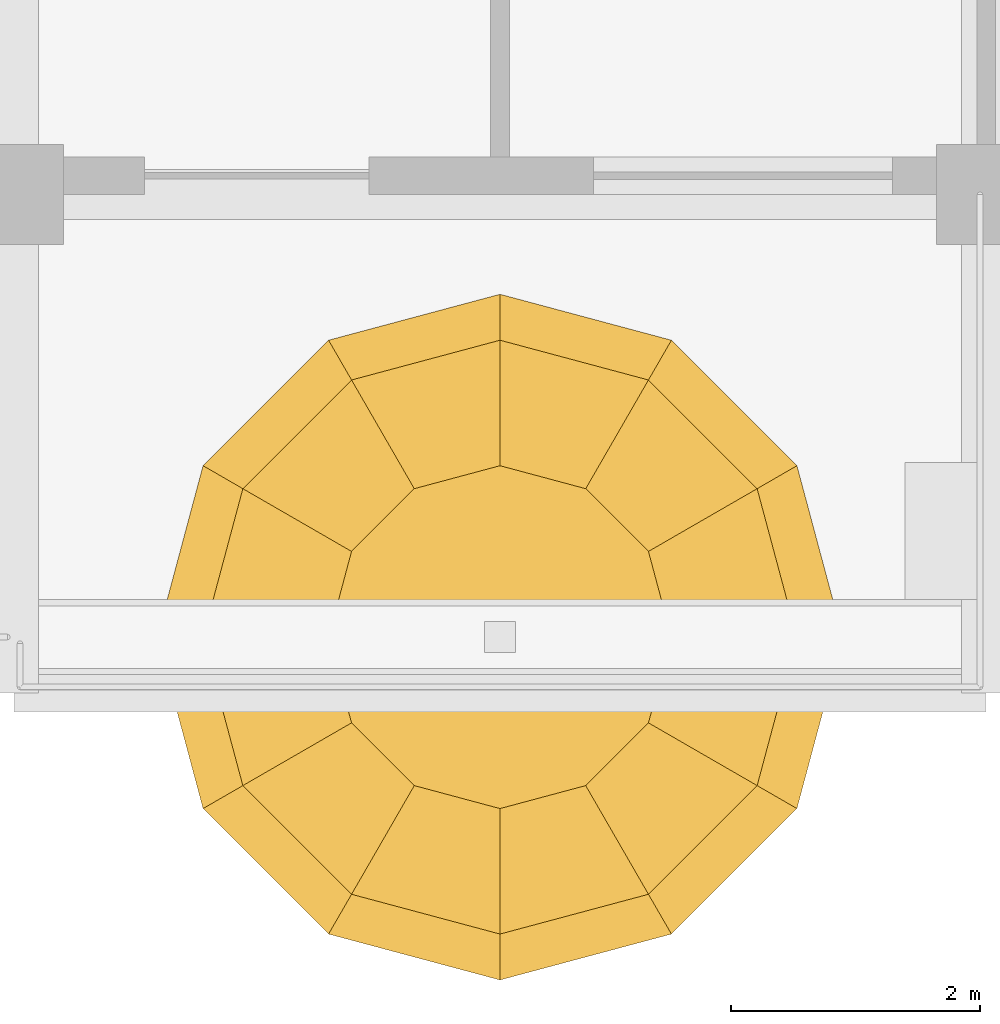
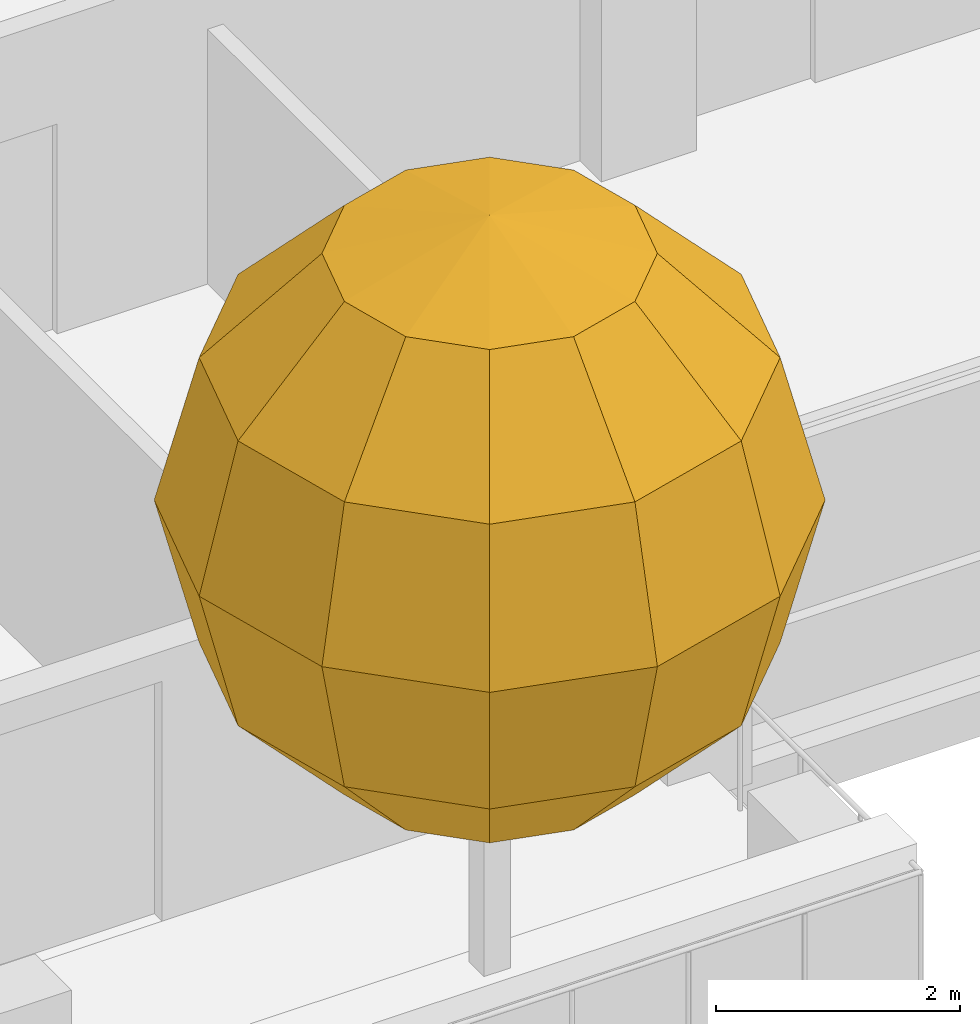
# One storey, part 17 of 17: 1 covering.
"""IFC4 building model written with IfcOpenShell, lengths in metres."""

import ifcopenshell
import ifcopenshell.guid

model = None  # the IFC model being written
_history = None  # IfcOwnerHistory: only IFC2X3 demands one
_inside = {}  # id of a spatial element -> (the spatial element, [elements in it])
_under = {}  # id of a project, library or spatial element -> (it, [spatial elements below it])
_declared = {}  # id of a project -> (the project, [libraries it declares])
_typed = {}  # id of a type object -> (the type object, [elements of that type])
_made_of = {}  # id of a material, layer set ... -> (it, [elements and type objects made of it])


def new_model(schema):
    """Start an empty IFC model of exactly this schema.

    Asked for "IFC4X3", IfcOpenShell would pick the latest addendum, in which some entities
    have other attributes; the version numbers below select the first issue.
    IFC2X3 requires an IfcOwnerHistory on every rooted entity: one is made here for all.
    """
    global model, _history
    if schema == "IFC4X3":
        model = ifcopenshell.file(schema_version=(4, 3, 0, 0))
    else:
        model = ifcopenshell.file(schema=schema)
    _inside.clear()
    _under.clear()
    _declared.clear()
    _typed.clear()
    _made_of.clear()
    _history = None
    if model.schema == "IFC2X3":
        org = make("IfcOrganization", Name="unknown")
        user = make(
            "IfcPersonAndOrganization",
            ThePerson=make("IfcPerson", FamilyName="unknown"),
            TheOrganization=org,
        )
        app = make(
            "IfcApplication",
            ApplicationDeveloper=org,
            Version="unknown",
            ApplicationFullName="unknown",
            ApplicationIdentifier="unknown",
        )
        _history = make(
            "IfcOwnerHistory",
            OwningUser=user,
            OwningApplication=app,
            ChangeAction="ADDED",
            CreationDate=0,
        )
    return model


def make(cls, **values):
    """One entity of the class cls with the attributes given. An attribute that is None is left unset."""
    return model.create_entity(
        cls, **{name: value for name, value in values.items() if value is not None}
    )


def rooted(cls, **values):
    """An entity with a GlobalId (a new one), such as an element, a storey or a relation."""
    return make(cls, GlobalId=ifcopenshell.guid.new(), OwnerHistory=_history, **values)


def si_unit(unit_type, name, prefix=None):
    """IfcSIUnit, for example si_unit("LENGTHUNIT", "METRE", prefix="MILLI")."""
    return make("IfcSIUnit", UnitType=unit_type, Prefix=prefix, Name=name)


def assignment(units):
    """IfcUnitAssignment: the units of a project."""
    return None if units is None else make("IfcUnitAssignment", Units=units)


def point(xyz):
    """IfcCartesianPoint."""
    return None if xyz is None else make("IfcCartesianPoint", Coordinates=xyz)


def direction(xyz):
    """IfcDirection."""
    return None if xyz is None else make("IfcDirection", DirectionRatios=xyz)


def frame(location, z_axis=None, x_axis=None):
    """IfcAxis2Placement3D, a coordinate frame: its origin and axes. An axis left out is left unset."""
    return make(
        "IfcAxis2Placement3D",
        Location=point(location),
        Axis=direction(z_axis),
        RefDirection=direction(x_axis),
    )


def origin():
    """The frame at (0, 0, 0) with its axes left unset."""
    return frame((0.0, 0.0, 0.0))


def place(relative_to, where):
    """IfcLocalPlacement: puts the frame where relative to a parent placement (None: the world)."""
    return make(
        "IfcLocalPlacement", PlacementRelTo=relative_to, RelativePlacement=where
    )


def context(
    kind, dimensions, precision=None, world=None, true_north=None, identifier=None
):
    """IfcGeometricRepresentationContext, for example the 3D "Model" context."""
    return make(
        "IfcGeometricRepresentationContext",
        ContextIdentifier=identifier,
        ContextType=kind,
        CoordinateSpaceDimension=dimensions,
        Precision=precision,
        WorldCoordinateSystem=world,
        TrueNorth=true_north,
    )


def subcontext(parent, identifier, kind, view, scale=None):
    """IfcGeometricRepresentationSubContext, for example "Body" below "Model"."""
    return make(
        "IfcGeometricRepresentationSubContext",
        ContextIdentifier=identifier,
        ContextType=kind,
        ParentContext=parent,
        TargetScale=scale,
        TargetView=view,
    )


def project(units=None, contexts=None):
    """IfcProject with its units and contexts."""
    return rooted(
        "IfcProject",
        Name="project",
        RepresentationContexts=contexts,
        UnitsInContext=assignment(units),
    )


def spatial(cls, under=None, at=None, **own):
    """A site, building, storey or space (cls), placed at a placement, below another one or the project."""
    s = rooted(cls, ObjectPlacement=at, **own)
    if under is not None:
        _under.setdefault(under.id(), (under, []))[1].append(s)
    return s


def point_list(points):
    """IfcCartesianPointList2D or 3D."""
    cls = (
        "IfcCartesianPointList2D" if len(points[0]) == 2 else "IfcCartesianPointList3D"
    )
    return make(cls, CoordList=points)


def triangles(points, corners, closed=None, point_numbers=None):
    """IfcTriangulatedFaceSet: each triangle names its three corners, points numbered from 1."""
    return make(
        "IfcTriangulatedFaceSet",
        Coordinates=point_list(points),
        Closed=closed,
        CoordIndex=corners,
        PnIndex=point_numbers,
    )


def shape(context_of_items, identifier, shape_type, items):
    """IfcShapeRepresentation: the items that make up one representation, for example the "Body"."""
    return make(
        "IfcShapeRepresentation",
        ContextOfItems=context_of_items,
        RepresentationIdentifier=identifier,
        RepresentationType=shape_type,
        Items=items,
    )


def material(Name=None, Category=None):
    """IfcMaterial."""
    return make("IfcMaterial", Name=Name, Category=Category)


def layer(
    of_material, thickness, ventilated=None, Name=None, Category=None, Priority=None
):
    """IfcMaterialLayer: one layer of a wall or slab, of a material (None: an air gap)."""
    return make(
        "IfcMaterialLayer",
        Material=of_material,
        LayerThickness=thickness,
        IsVentilated=ventilated,
        Name=Name,
        Category=Category,
        Priority=Priority,
    )


def layer_set(layers, Name=None):
    """IfcMaterialLayerSet."""
    return make("IfcMaterialLayerSet", MaterialLayers=layers, LayerSetName=Name)


def made_of(thing, what):
    """Note that an element or type object is made of a material, layer set ...; save() writes the relation."""
    if what is not None:
        _made_of.setdefault(what.id(), (what, []))[1].append(thing)
    return thing


def type_object(cls, material=None, **own):
    """A type object (cls), such as IfcWallType, which elements share."""
    return made_of(rooted(cls, **own), material)


def element(
    cls,
    number,
    at=None,
    inside=None,
    cuts=None,
    type_object=None,
    material=None,
    context=None,
    identifier="Body",
    shape_type=None,
    held_by="IfcProductDefinitionShape",
    body=None,
    shapes=None,
    **own,
):
    """One element of the class cls, such as IfcWall. Its Tag is "e" and its number.

    at: its placement. inside: the storey or other place that contains it. cuts: it is an
    opening in that element (IfcRelVoidsElement). A single representation is given by context,
    identifier, shape_type and body (its items); several are given by shapes. held_by: the class
    of the entity that holds the representations. save() writes the other relations.
    """
    e = rooted(cls, Tag="e%d" % number, ObjectPlacement=at, **own)
    if body is not None:
        shapes = [shape(context, identifier, shape_type, body)]
    if shapes is not None:
        e.Representation = make(held_by, Representations=shapes)
    if inside is not None:
        _inside.setdefault(inside.id(), (inside, []))[1].append(e)
    if cuts is not None:
        rooted(
            "IfcRelVoidsElement", RelatingBuildingElement=cuts, RelatedOpeningElement=e
        )
    if type_object is not None:
        _typed.setdefault(type_object.id(), (type_object, []))[1].append(e)
    return made_of(e, material)


def aggregate(whole, parts):
    """IfcRelAggregates: a whole, such as a stair, and the parts it consists of."""
    return rooted("IfcRelAggregates", RelatingObject=whole, RelatedObjects=parts)


def save(model, path):
    """Write the relations noted so far, then the file.

    IfcRelAggregates (storeys below a building ...), IfcRelContainedInSpatialStructure (elements
    in a storey), IfcRelDefinesByType, IfcRelAssociatesMaterial and IfcRelDeclares: one each for
    every whole, place, type object, material and project.
    """
    for whole, parts in _under.values():
        aggregate(whole, parts)
    for where, things in _inside.values():
        rooted(
            "IfcRelContainedInSpatialStructure",
            RelatedElements=things,
            RelatingStructure=where,
        )
    for kind, things in _typed.values():
        rooted("IfcRelDefinesByType", RelatedObjects=things, RelatingType=kind)
    for what, things in _made_of.values():
        rooted("IfcRelAssociatesMaterial", RelatedObjects=things, RelatingMaterial=what)
    for by, libraries in _declared.values():
        rooted("IfcRelDeclares", RelatingContext=by, RelatedDefinitions=libraries)
    model.write(path)


model = new_model("IFC4")

# Units and contexts
model_context = context("Model", 3, precision=1e-05, world=origin(), true_north=direction((0.0, 1.0)))
body_context = subcontext(model_context, "Body", "Model", "MODEL_VIEW")
ifc_project = project(units=[si_unit("LENGTHUNIT", "METRE"), si_unit("AREAUNIT", "SQUARE_METRE"), si_unit("VOLUMEUNIT", "CUBIC_METRE"), si_unit("PLANEANGLEUNIT", "RADIAN"), si_unit("MASSUNIT", "GRAM", prefix="KILO")], contexts=[model_context])

# Site, building, storey
site_placement = place(None, origin())
site = spatial("IfcSite", under=ifc_project, at=site_placement, CompositionType="ELEMENT")
building_placement = place(site_placement, origin())
building = spatial("IfcBuilding", under=site, at=building_placement, Name="Ludao Terraces", CompositionType="ELEMENT")
storey_placement = place(building_placement, frame((0.0, 0.0, 221.10009765625)))
storey = spatial("IfcBuildingStorey", under=building, at=storey_placement, Name="L60", CompositionType="ELEMENT", Elevation=221.10009765625)

# Covering
ifc_material = material(Name="Planting")
ifc_layer = layer(ifc_material, 5.5)
ifc_layer_set = layer_set([ifc_layer], Name="ENV Tree crown 5500x5700")
covering_type = type_object("IfcCoveringType", Name="ENV Tree crown 5500x5700", PredefinedType="USERDEFINED", material=ifc_layer_set)
covering_placement = place(storey_placement, frame((85.0, 38.050048828125, 6.0)))
element("IfcCovering", 1, at=covering_placement, inside=storey, type_object=covering_type, Name="Tree crown L60 S2", ObjectType="PLANTING", PredefinedType="USERDEFINED", context=body_context, shape_type="Tessellation", body=[
    triangles([(0.0, 0.0, 2.85009765625), (1.375, 0.0, 2.46826171875), (1.190673828125, 0.6875, 2.46826171875), (0.6875, 1.190673828125, 2.46826171875), (0.0, 1.375, 2.46826171875), (-0.6875, 1.190673828125, 2.46826171875), (-1.190673828125, 0.6875, 2.46826171875), (-1.375, 0.0, 2.46826171875), (-1.190673828125, -0.6875, 2.46826171875), (-0.6875, -1.190673828125, 2.46826171875), (0.0, -1.375, 2.46826171875), (0.6875, -1.190673828125, 2.46826171875), (1.190673828125, -0.6875, 2.46826171875), (2.381591796875, 0.0, 1.425048828125), (2.0625, 1.190673828125, 1.425048828125), (1.190673828125, 2.0625, 1.425048828125), (0.0, 2.381591796875, 1.425048828125), (-1.190673828125, 2.0625, 1.425048828125), (-2.0625, 1.190673828125, 1.425048828125), (-2.381591796875, 0.0, 1.425048828125), (-2.0625, -1.190673828125, 1.425048828125), (-1.190673828125, -2.0625, 1.425048828125), (0.0, -2.381591796875, 1.425048828125), (1.190673828125, -2.0625, 1.425048828125), (2.0625, -1.190673828125, 1.425048828125), (2.75, 0.0, 0.0), (2.381591796875, 1.375, 0.0), (1.375, 2.381591796875, 0.0), (0.0, 2.75, 0.0), (-1.375, 2.381591796875, 0.0), (-2.381591796875, 1.375, 0.0), (-2.75, 0.0, 0.0), (-2.381591796875, -1.375, 0.0), (-1.375, -2.381591796875, 0.0), (0.0, -2.75, 0.0), (1.375, -2.381591796875, 0.0), (2.381591796875, -1.375, 0.0), (2.381591796875, 0.0, -1.425048828125), (2.0625, 1.190673828125, -1.425048828125), (1.190673828125, 2.0625, -1.425048828125), (0.0, 2.381591796875, -1.425048828125), (-1.190673828125, 2.0625, -1.425048828125), (-2.0625, 1.190673828125, -1.425048828125), (-2.381591796875, 0.0, -1.425048828125), (-2.0625, -1.190673828125, -1.425048828125), (-1.190673828125, -2.0625, -1.425048828125), (0.0, -2.381591796875, -1.425048828125), (1.190673828125, -2.0625, -1.425048828125), (2.0625, -1.190673828125, -1.425048828125), (1.375, 0.0, -2.46826171875), (1.190673828125, 0.6875, -2.46826171875), (0.6875, 1.190673828125, -2.46826171875), (0.0, 1.375, -2.46826171875), (-0.6875, 1.190673828125, -2.46826171875), (-1.190673828125, 0.6875, -2.46826171875), (-1.375, 0.0, -2.46826171875), (-1.190673828125, -0.6875, -2.46826171875), (-0.6875, -1.190673828125, -2.46826171875), (0.0, -1.375, -2.46826171875), (0.6875, -1.190673828125, -2.46826171875), (1.190673828125, -0.6875, -2.46826171875), (0.0, 0.0, -2.85009765625)], [[1, 2, 3], [1, 3, 4], [1, 4, 5], [1, 5, 6], [1, 6, 7], [1, 7, 8], [1, 8, 9], [1, 9, 10], [1, 10, 11], [1, 11, 12], [1, 12, 13], [1, 13, 2], [2, 14, 15], [2, 15, 3], [3, 15, 16], [3, 16, 4], [4, 16, 17], [4, 17, 5], [5, 17, 18], [5, 18, 6], [6, 18, 19], [6, 19, 7], [7, 19, 20], [7, 20, 8], [8, 20, 21], [8, 21, 9], [9, 21, 22], [9, 22, 10], [10, 22, 23], [10, 23, 11], [11, 23, 24], [11, 24, 12], [12, 24, 25], [12, 25, 13], [13, 25, 14], [13, 14, 2], [14, 26, 27], [14, 27, 15], [15, 27, 28], [15, 28, 16], [16, 28, 29], [16, 29, 17], [17, 29, 30], [17, 30, 18], [18, 30, 31], [18, 31, 19], [19, 31, 32], [19, 32, 20], [20, 32, 33], [20, 33, 21], [21, 33, 34], [21, 34, 22], [22, 34, 35], [22, 35, 23], [23, 35, 36], [23, 36, 24], [24, 36, 37], [24, 37, 25], [25, 37, 26], [25, 26, 14], [26, 38, 39], [26, 39, 27], [27, 39, 40], [27, 40, 28], [28, 40, 41], [28, 41, 29], [29, 41, 42], [29, 42, 30], [30, 42, 43], [30, 43, 31], [31, 43, 44], [31, 44, 32], [32, 44, 45], [32, 45, 33], [33, 45, 46], [33, 46, 34], [34, 46, 47], [34, 47, 35], [35, 47, 48], [35, 48, 36], [36, 48, 49], [36, 49, 37], [37, 49, 38], [37, 38, 26], [38, 50, 51], [38, 51, 39], [39, 51, 52], [39, 52, 40], [40, 52, 53], [40, 53, 41], [41, 53, 54], [41, 54, 42], [42, 54, 55], [42, 55, 43], [43, 55, 56], [43, 56, 44], [44, 56, 57], [44, 57, 45], [45, 57, 58], [45, 58, 46], [46, 58, 59], [46, 59, 47], [47, 59, 60], [47, 60, 48], [48, 60, 61], [48, 61, 49], [49, 61, 50], [49, 50, 38], [62, 51, 50], [62, 52, 51], [62, 53, 52], [62, 54, 53], [62, 55, 54], [62, 56, 55], [62, 57, 56], [62, 58, 57], [62, 59, 58], [62, 60, 59], [62, 61, 60], [62, 50, 61]], closed=True),
])

save(model, "model.ifc")
